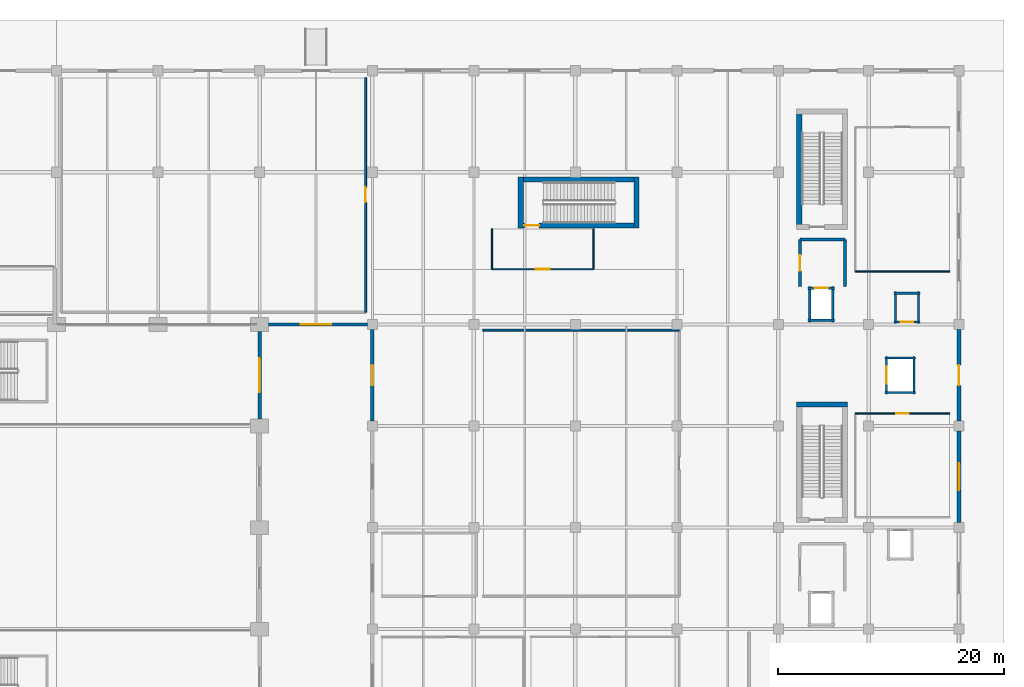
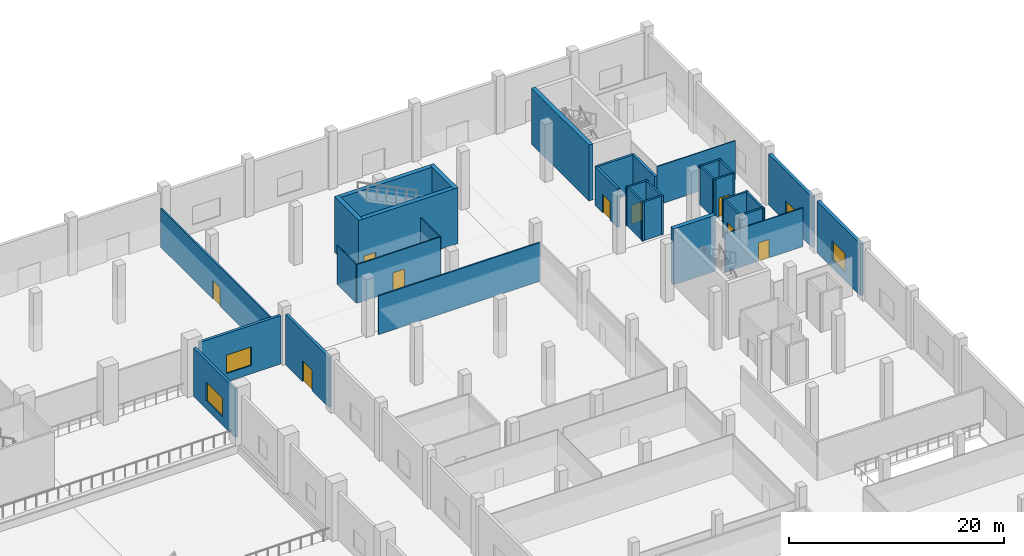
# One storey, part 26 of 65: 33 walls, 10 doors, 3 windows, 13 openings.
"""IFC4 building model written with IfcOpenShell, lengths in metres."""

from ifc_helpers import new_model, si_unit, direction, frame, frame_2d, origin, place, context, subcontext, project, spatial, rectangle, extrude, material, layer, layer_set, type_object, element, fill, save


model = new_model("IFC4")

# Units and contexts
model_context = context("Model", 3, precision=1e-05, world=origin(), true_north=direction((0.0, 1.0)))
body_context = subcontext(model_context, "Body", "Model", "MODEL_VIEW")
ifc_project = project(units=[si_unit("LENGTHUNIT", "METRE"), si_unit("AREAUNIT", "SQUARE_METRE"), si_unit("VOLUMEUNIT", "CUBIC_METRE"), si_unit("PLANEANGLEUNIT", "RADIAN"), si_unit("MASSUNIT", "GRAM", prefix="KILO")], contexts=[model_context])

# Site, building, storey
site_placement = place(None, origin())
site = spatial("IfcSite", under=ifc_project, at=site_placement, CompositionType="ELEMENT")
building_placement = place(site_placement, origin())
building = spatial("IfcBuilding", under=site, at=building_placement, Name="Chuanluo Vaults Station", CompositionType="ELEMENT")
storey_placement = place(building_placement, origin())
storey = spatial("IfcBuildingStorey", under=building, at=storey_placement, Name="L00", CompositionType="ELEMENT", Elevation=0.0)

# Walls
ifc_material_1 = material(Name="Concrete C50", Category="concrete")
ifc_layer_1 = layer(ifc_material_1, 0.449951171875)
ifc_layer_set_1 = layer_set([ifc_layer_1], Name="Concrete C50")
wall_type_1 = type_object("IfcWallType", Name="WL-COR-450", PredefinedType="SHEAR", material=ifc_layer_set_1)
wall_1_placement = place(storey_placement, frame((178.137451171875, 96.3974609375, 0.0), z_axis=(0.0, 0.0, 1.0), x_axis=(-1.0, 0.0, 0.0)))
element("IfcWall", 1, at=wall_1_placement, inside=storey, type_object=wall_type_1, Name="Core K1 far shear wall", PredefinedType="SHEAR", context=body_context, shape_type="SweptSolid", body=[
    extrude(rectangle(XDim=4.52001953125, YDim=0.449951171875, at=frame_2d((2.260009765625, 0.0))), origin(), (0.0, 0.0, 1.0), 6.360107421875),
])
wall_2_placement = place(storey_placement, frame((173.842529296875, 122.62255859375, 0.0), z_axis=(0.0, 0.0, 1.0), x_axis=(0.0, -1.0, 0.0)))
element("IfcWall", 2, at=wall_2_placement, inside=storey, type_object=wall_type_1, Name="Core K2 right shear wall", PredefinedType="SHEAR", context=body_context, shape_type="SweptSolid", body=[
    extrude(rectangle(XDim=10.697509765625, YDim=0.449951171875, at=frame_2d((5.3486328125, 0.0))), origin(), (0.0, 0.0, 1.0), 6.360107421875),
])

# Wall, opening, door
wall_3_placement = place(storey_placement, frame((148.925048828125, 112.27490234375, 0.0), z_axis=(0.0, 0.0, 1.0), x_axis=(1.0, 0.0, 0.0)))
wall_3 = element("IfcWall", 3, at=wall_3_placement, inside=storey, type_object=wall_type_1, Name="Core K3 left shear wall", PredefinedType="SHEAR", context=body_context, shape_type="SweptSolid", body=[
    extrude(rectangle(XDim=10.697509765625, YDim=0.449951171875, at=frame_2d((5.3486328125, 0.0))), origin(), (0.0, 0.0, 1.0), 6.360107421875),
])
opening_1_placement = place(wall_3_placement, frame((0.550048828125, 0.0, 0.0)))
opening_1 = element("IfcOpeningElement", 4, at=opening_1_placement, cuts=wall_3, Name="Opening FD-05", PredefinedType="OPENING", context=body_context, shape_type="SweptSolid", body=[
    extrude(rectangle(XDim=1.300048828125, YDim=2.10009765625, at=frame_2d((0.64990234375, 1.050048828125))), frame((0.0, 0.2351, 0.0), z_axis=(0.0, -1.0, 0.0), x_axis=(1.0, 0.0, 0.0)), (0.0, 0.0, 1.0), 0.46995),
])
ifc_material_2 = material(Name="Fire-rated steel leaf", Category="steel")
door_type_1 = type_object("IfcDoorType", Name="DR-FIR-1300x2100", OperationType="NOTDEFINED", PredefinedType="DOOR", material=ifc_material_2)
door_1_placement = place(opening_1_placement, origin())
door_1 = element("IfcDoor", 5, at=door_1_placement, inside=storey, type_object=door_type_1, Name="D-073 Stair ST-03 fire door", OperationType="SINGLE_SWING_RIGHT", OverallHeight=2.10009765625, OverallWidth=1.300048828125, PredefinedType="DOOR", context=body_context, shape_type="SweptSolid", body=[
    extrude(rectangle(XDim=1.300048828125, YDim=2.10009765625, at=frame_2d((0.64990234375, 1.050048828125))), frame((0.0, 0.02490234375, 0.0), z_axis=(0.0, -1.0, 0.0), x_axis=(1.0, 0.0, 0.0)), (0.0, 0.0, 1.0), 0.050048828125),
])
fill(opening_1, door_1)

# Walls
wall_4_placement = place(storey_placement, frame((159.62255859375, 116.344970703125, 0.0), z_axis=(0.0, 0.0, 1.0), x_axis=(-1.0, 0.0, 0.0)))
element("IfcWall", 6, at=wall_4_placement, inside=storey, type_object=wall_type_1, Name="Core K3 right shear wall", PredefinedType="SHEAR", context=body_context, shape_type="SweptSolid", body=[
    extrude(rectangle(XDim=10.697509765625, YDim=0.449951171875, at=frame_2d((5.3486328125, 0.0))), origin(), (0.0, 0.0, 1.0), 6.360107421875),
])
for number, where, z_axis, x_axis, name in (
    (7, (159.3974609375, 112.050048828125, 0.0), (0.0, 0.0, 1.0), (0.0, 1.0, 0.0), "Core K3 far shear wall"),
    (8, (149.14990234375, 116.570068359375, 0.0), (0.0, 0.0, 1.0), (0.0, -1.0, 0.0), "Core K3 near shear wall"),
):
    element("IfcWall", number, at=place(storey_placement, frame(where, z_axis=z_axis, x_axis=x_axis)), inside=storey, type_object=wall_type_1, Name=name, PredefinedType="SHEAR", context=body_context, shape_type="SweptSolid", body=[
        extrude(rectangle(XDim=4.52001953125, YDim=0.449951171875, at=frame_2d((2.260009765625, 0.0))), origin(), (0.0, 0.0, 1.0), 6.360107421875),
    ])

# Wall, opening, window
ifc_material_3 = material(Name="Concrete C40", Category="concrete")
ifc_layer_2 = layer(ifc_material_3, 0.300048828125)
ifc_layer_set_2 = layer_set([ifc_layer_2], Name="Concrete C40")
wall_type_2 = type_object("IfcWallType", Name="WL-EXT-300", PredefinedType="SOLIDWALL", material=ifc_layer_set_2)
wall_5_placement = place(storey_placement, frame((126.0, 102.89990234375, 0.0), z_axis=(0.0, 0.0, 1.0), x_axis=(0.0, -1.0, 0.0)))
wall_5 = element("IfcWall", 9, at=wall_5_placement, inside=storey, type_object=wall_type_2, Name="Passage train-shed wall 5", PredefinedType="SOLIDWALL", context=body_context, shape_type="SweptSolid", body=[
    extrude(rectangle(XDim=7.7998046875, YDim=0.300048828125, at=frame_2d((3.89990234375, 0.0))), origin(), (0.0, 0.0, 1.0), 5.4951171875),
])
opening_2_placement = place(wall_5_placement, frame((2.39990234375, 0.0, 0.949951171875)))
opening_2 = element("IfcOpeningElement", 10, at=opening_2_placement, cuts=wall_5, Name="Opening W-16", PredefinedType="OPENING", context=body_context, shape_type="SweptSolid", body=[
    extrude(rectangle(XDim=3.0, YDim=2.10009765625, at=frame_2d((1.5, 1.050048828125))), frame((0.0, 0.1599, 0.0), z_axis=(0.0, -1.0, 0.0), x_axis=(1.0, 0.0, 0.0)), (0.0, 0.0, 1.0), 0.32005),
])
ifc_material_4 = material(Name="Double-silver Low-E laminated glass", Category="glass")
window_type_1 = type_object("IfcWindowType", Name="WN-RET-3000x2100", PartitioningType="SINGLE_PANEL", PredefinedType="WINDOW", material=ifc_material_4)
window_1_placement = place(opening_2_placement, origin())
window_1 = element("IfcWindow", 11, at=window_1_placement, inside=storey, type_object=window_type_1, Name="W-037 Ground streetwall window", OverallHeight=2.10009765625, OverallWidth=3.0, PartitioningType="SINGLE_PANEL", PredefinedType="WINDOW", context=body_context, shape_type="SweptSolid", body=[
    extrude(rectangle(XDim=3.0, YDim=2.10009765625, at=frame_2d((1.5, 1.050048828125))), frame((0.0, 0.030029296875, 0.0), z_axis=(0.0, -1.0, 0.0), x_axis=(1.0, 0.0, 0.0)), (0.0, 0.0, 1.0), 0.06005859375),
])
fill(opening_2, window_1)

wall_6_placement = place(storey_placement, frame((135.550048828125, 103.5, 0.0), z_axis=(0.0, 0.0, 1.0), x_axis=(-1.0, 0.0, 0.0)))
wall_6 = element("IfcWall", 12, at=wall_6_placement, inside=storey, type_object=wall_type_2, Name="Passage north alcove south wall", PredefinedType="SOLIDWALL", context=body_context, shape_type="SweptSolid", body=[
    extrude(rectangle(XDim=8.75, YDim=0.300048828125, at=frame_2d((4.375, 0.0))), origin(), (0.0, 0.0, 1.0), 5.4951171875),
])
opening_3_placement = place(wall_6_placement, frame((3.199951171875, 0.0, 0.949951171875)))
opening_3 = element("IfcOpeningElement", 13, at=opening_3_placement, cuts=wall_6, Name="Opening W-17", PredefinedType="OPENING", context=body_context, shape_type="SweptSolid", body=[
    extrude(rectangle(XDim=2.699951171875, YDim=2.10009765625, at=frame_2d((1.35009765625, 1.050048828125))), frame((0.0, 0.1599, 0.0), z_axis=(0.0, -1.0, 0.0), x_axis=(1.0, 0.0, 0.0)), (0.0, 0.0, 1.0), 0.32005),
])
ifc_material_5 = material(Name="Double-silver Low-E laminated glass", Category="glass")
window_type_2 = type_object("IfcWindowType", Name="WN-RET-2700x2100", PartitioningType="SINGLE_PANEL", PredefinedType="WINDOW", material=ifc_material_5)
window_2_placement = place(opening_3_placement, origin())
window_2 = element("IfcWindow", 14, at=window_2_placement, inside=storey, type_object=window_type_2, Name="W-038 Ground streetwall window", OverallHeight=2.10009765625, OverallWidth=2.699951171875, PartitioningType="SINGLE_PANEL", PredefinedType="WINDOW", context=body_context, shape_type="SweptSolid", body=[
    extrude(rectangle(XDim=2.699951171875, YDim=2.10009765625, at=frame_2d((1.35009765625, 1.050048828125))), frame((0.0, 0.030029296875, 0.0), z_axis=(0.0, -1.0, 0.0), x_axis=(1.0, 0.0, 0.0)), (0.0, 0.0, 1.0), 0.06005859375),
])
fill(opening_3, window_2)

# Wall, opening, door
wall_7_placement = place(storey_placement, frame((136.0, 94.949951171875, 0.0), z_axis=(0.0, 0.0, 1.0), x_axis=(0.0, 1.0, 0.0)))
wall_7 = element("IfcWall", 15, at=wall_7_placement, inside=storey, type_object=wall_type_2, Name="Operations west passage wall 5", PredefinedType="SOLIDWALL", context=body_context, shape_type="SweptSolid", body=[
    extrude(rectangle(XDim=8.10009765625, YDim=0.300048828125, at=frame_2d((4.050048828125, 0.0))), origin(), (0.0, 0.0, 1.0), 5.715087890625),
])
opening_4_placement = place(wall_7_placement, frame((3.14990234375, 0.0, 0.0)))
opening_4 = element("IfcOpeningElement", 16, at=opening_4_placement, cuts=wall_7, Name="Opening D-E07", PredefinedType="OPENING", context=body_context, shape_type="SweptSolid", body=[
    extrude(rectangle(XDim=1.800048828125, YDim=2.35009765625, at=frame_2d((0.89990234375, 1.175048828125))), frame((0.0, 0.1599, 0.0), z_axis=(0.0, -1.0, 0.0), x_axis=(1.0, 0.0, 0.0)), (0.0, 0.0, 1.0), 0.32005),
])
ifc_material_6 = material(Name="Anodised aluminium 6063-T6", Category="aluminium")
door_type_2 = type_object("IfcDoorType", Name="DR-EXT-1800x2350", OperationType="NOTDEFINED", PredefinedType="DOOR", material=ifc_material_6)
door_2_placement = place(opening_4_placement, origin())
door_2 = element("IfcDoor", 17, at=door_2_placement, inside=storey, type_object=door_type_2, Name="D-035 Operations west passage wall 5 exit door", OperationType="SINGLE_SWING_LEFT", OverallHeight=2.35009765625, OverallWidth=1.800048828125, PredefinedType="DOOR", context=body_context, shape_type="SweptSolid", body=[
    extrude(rectangle(XDim=1.800048828125, YDim=2.35009765625, at=frame_2d((0.89990234375, 1.175048828125))), frame((0.0, 0.02490234375, 0.0), z_axis=(0.0, -1.0, 0.0), x_axis=(1.0, 0.0, 0.0)), (0.0, 0.0, 1.0), 0.050048828125),
])
fill(opening_4, door_2)

# Wall, opening, window
ifc_material_7 = material(Name="Concrete C50", Category="concrete")
ifc_layer_3 = layer(ifc_material_7, 0.340087890625)
ifc_layer_set_3 = layer_set([ifc_layer_3], Name="Concrete C50")
wall_type_3 = type_object("IfcWallType", Name="WL-EXT-340", PredefinedType="SOLIDWALL", material=ifc_layer_set_3)
wall_8_placement = place(storey_placement, frame((188.0, 94.050048828125, 0.0), z_axis=(0.0, 0.0, 1.0), x_axis=(0.0, -1.0, 0.0)))
wall_8 = element("IfcWall", 18, at=wall_8_placement, inside=storey, type_object=wall_type_3, Name="East streetwall 8", PredefinedType="SOLIDWALL", context=body_context, shape_type="SweptSolid", body=[
    extrude(rectangle(XDim=8.10009765625, YDim=0.340087890625, at=frame_2d((4.050048828125, 0.0))), origin(), (0.0, 0.0, 1.0), 5.875),
])
opening_5_placement = place(wall_8_placement, frame((2.85009765625, 0.0, 0.949951171875)))
opening_5 = element("IfcOpeningElement", 19, at=opening_5_placement, cuts=wall_8, Name="Opening W-18", PredefinedType="OPENING", context=body_context, shape_type="SweptSolid", body=[
    extrude(rectangle(XDim=2.39990234375, YDim=2.10009765625, at=frame_2d((1.199951171875, 1.050048828125))), frame((0.0, 0.17992, 0.0), z_axis=(0.0, -1.0, 0.0), x_axis=(1.0, 0.0, 0.0)), (0.0, 0.0, 1.0), 0.36009),
])
ifc_material_8 = material(Name="Double-silver Low-E laminated glass", Category="glass")
window_type_3 = type_object("IfcWindowType", Name="WN-RET-2400x2100", PartitioningType="SINGLE_PANEL", PredefinedType="WINDOW", material=ifc_material_8)
window_3_placement = place(opening_5_placement, origin())
window_3 = element("IfcWindow", 20, at=window_3_placement, inside=storey, type_object=window_type_3, Name="W-057 Ground streetwall window", OverallHeight=2.10009765625, OverallWidth=2.39990234375, PartitioningType="SINGLE_PANEL", PredefinedType="WINDOW", context=body_context, shape_type="SweptSolid", body=[
    extrude(rectangle(XDim=2.39990234375, YDim=2.10009765625, at=frame_2d((1.199951171875, 1.050048828125))), frame((0.0, 0.030029296875, 0.0), z_axis=(0.0, -1.0, 0.0), x_axis=(1.0, 0.0, 0.0)), (0.0, 0.0, 1.0), 0.06005859375),
])
fill(opening_5, window_3)

# Wall, opening, door
wall_9_placement = place(storey_placement, frame((188.0, 103.050048828125, 0.0), z_axis=(0.0, 0.0, 1.0), x_axis=(0.0, -1.0, 0.0)))
wall_9 = element("IfcWall", 21, at=wall_9_placement, inside=storey, type_object=wall_type_3, Name="East streetwall 9", PredefinedType="SOLIDWALL", context=body_context, shape_type="SweptSolid", body=[
    extrude(rectangle(XDim=8.10009765625, YDim=0.340087890625, at=frame_2d((4.050048828125, 0.0))), origin(), (0.0, 0.0, 1.0), 5.7548828125),
])
opening_6_placement = place(wall_9_placement, frame((3.14990234375, 0.0, 0.0)))
opening_6 = element("IfcOpeningElement", 22, at=opening_6_placement, cuts=wall_9, Name="Opening D-E07", PredefinedType="OPENING", context=body_context, shape_type="SweptSolid", body=[
    extrude(rectangle(XDim=1.800048828125, YDim=2.35009765625, at=frame_2d((0.89990234375, 1.175048828125))), frame((0.0, 0.17992, 0.0), z_axis=(0.0, -1.0, 0.0), x_axis=(1.0, 0.0, 0.0)), (0.0, 0.0, 1.0), 0.36009),
])
door_3_placement = place(opening_6_placement, origin())
door_3 = element("IfcDoor", 23, at=door_3_placement, inside=storey, type_object=door_type_2, Name="D-043 East streetwall 9 exit door", OperationType="SINGLE_SWING_RIGHT", OverallHeight=2.35009765625, OverallWidth=1.800048828125, PredefinedType="DOOR", context=body_context, shape_type="SweptSolid", body=[
    extrude(rectangle(XDim=1.800048828125, YDim=2.35009765625, at=frame_2d((0.89990234375, 1.175048828125))), frame((0.0, 0.02490234375, 0.0), z_axis=(0.0, -1.0, 0.0), x_axis=(1.0, 0.0, 0.0)), (0.0, 0.0, 1.0), 0.050048828125),
])
fill(opening_6, door_3)

# Wall
ifc_material_9 = material(Name="Concrete C40", Category="concrete")
ifc_layer_4 = layer(ifc_material_9, 0.25)
ifc_layer_set_4 = layer_set([ifc_layer_4], Name="Concrete C40")
wall_type_4 = type_object("IfcWallType", Name="WL-FIR-250", PredefinedType="SOLIDWALL", material=ifc_layer_set_4)
wall_10_placement = place(storey_placement, frame((173.89990234375, 111.050048828125, 0.0), z_axis=(0.0, 0.0, 1.0), x_axis=(1.0, 0.0, 0.0)))
element("IfcWall", 24, at=wall_10_placement, inside=storey, type_object=wall_type_4, Name="L00-FFL-K2 Firefighting Lift Lobby FFL-02 L00 N partition", PredefinedType="SOLIDWALL", context=body_context, shape_type="SweptSolid", body=[
    extrude(rectangle(XDim=4.0, YDim=0.25, at=frame_2d((2.0, 0.0))), origin(), (0.0, 0.0, 1.0), 4.39990234375),
])

# Wall, opening, door
wall_11_placement = place(storey_placement, frame((173.89990234375, 106.85009765625, 0.0), z_axis=(0.0, 0.0, 1.0), x_axis=(0.0, 1.0, 0.0)))
wall_11 = element("IfcWall", 25, at=wall_11_placement, inside=storey, type_object=wall_type_4, Name="L00-FFL-K2 Firefighting Lift Lobby FFL-02 L00 W partition", PredefinedType="SOLIDWALL", context=body_context, shape_type="SweptSolid", body=[
    extrude(rectangle(XDim=4.199951171875, YDim=0.25, at=frame_2d((2.10009765625, 0.0))), origin(), (0.0, 0.0, 1.0), 4.39990234375),
])
opening_7_placement = place(wall_11_placement, frame((1.39990234375, 0.0, 0.0)))
opening_7 = element("IfcOpeningElement", 26, at=opening_7_placement, cuts=wall_11, Name="Opening FD-04", PredefinedType="OPENING", context=body_context, shape_type="SweptSolid", body=[
    extrude(rectangle(XDim=1.39990234375, YDim=2.10009765625, at=frame_2d((0.699951171875, 1.050048828125))), frame((0.0, 0.135, 0.0), z_axis=(0.0, -1.0, 0.0), x_axis=(1.0, 0.0, 0.0)), (0.0, 0.0, 1.0), 0.27),
])
ifc_material_10 = material(Name="Fire-rated steel leaf", Category="steel")
door_type_3 = type_object("IfcDoorType", Name="DR-FIR-1400x2100", OperationType="NOTDEFINED", PredefinedType="DOOR", material=ifc_material_10)
door_4_placement = place(opening_7_placement, origin())
door_4 = element("IfcDoor", 27, at=door_4_placement, inside=storey, type_object=door_type_3, Name="D-275 Firefighting Lift Lobby FFL-02 L00 door", OperationType="SINGLE_SWING_RIGHT", OverallHeight=2.10009765625, OverallWidth=1.39990234375, PredefinedType="DOOR", context=body_context, shape_type="SweptSolid", body=[
    extrude(rectangle(XDim=1.39990234375, YDim=2.10009765625, at=frame_2d((0.699951171875, 1.050048828125))), frame((0.0, 0.02490234375, 0.0), z_axis=(0.0, -1.0, 0.0), x_axis=(1.0, 0.0, 0.0)), (0.0, 0.0, 1.0), 0.050048828125),
])
fill(opening_7, door_4)

# Walls
wall_12_placement = place(storey_placement, frame((177.89990234375, 111.050048828125, 0.0), z_axis=(0.0, 0.0, 1.0), x_axis=(0.0, -1.0, 0.0)))
element("IfcWall", 28, at=wall_12_placement, inside=storey, type_object=wall_type_4, Name="L00-FFL-K2 Firefighting Lift Lobby FFL-02 L00 E partition", PredefinedType="SOLIDWALL", context=body_context, shape_type="SweptSolid", body=[
    extrude(rectangle(XDim=4.199951171875, YDim=0.25, at=frame_2d((2.10009765625, 0.0))), origin(), (0.0, 0.0, 1.0), 4.39990234375),
])
ifc_material_11 = material(Name="Masonry blockwork M10", Category="masonry")
ifc_layer_5 = layer(ifc_material_11, 0.10009765625)
ifc_layer_set_5 = layer_set([ifc_layer_5], Name="Masonry blockwork M10")
wall_type_5 = type_object("IfcWallType", Name="WL-PRT-100", PredefinedType="PARTITIONING", material=ifc_layer_set_5)
wall_13_placement = place(storey_placement, frame((187.199951171875, 108.199951171875, 0.0), z_axis=(0.0, 0.0, 1.0), x_axis=(-1.0, 0.0, 0.0)))
element("IfcWall", 29, at=wall_13_placement, inside=storey, type_object=wall_type_5, Name="L00-32 North-East Parcel Claim Office S partition", PredefinedType="PARTITIONING", context=body_context, shape_type="SweptSolid", body=[
    extrude(rectangle(XDim=8.39990234375, YDim=0.10009765625, at=frame_2d((4.199951171875, 0.0))), origin(), (0.0, 0.0, 1.0), 4.39990234375),
])

# Wall, opening, door
ifc_material_12 = material(Name="Masonry blockwork M10", Category="masonry")
ifc_layer_6 = layer(ifc_material_12, 0.110107421875)
ifc_layer_set_6 = layer_set([ifc_layer_6], Name="Masonry blockwork M10")
wall_type_6 = type_object("IfcWallType", Name="WL-PRT-110", PredefinedType="PARTITIONING", material=ifc_layer_set_6)
wall_14_placement = place(storey_placement, frame((178.800048828125, 95.60009765625, 0.0), z_axis=(0.0, 0.0, 1.0), x_axis=(1.0, 0.0, 0.0)))
wall_14 = element("IfcWall", 30, at=wall_14_placement, inside=storey, type_object=wall_type_6, Name="L00-31 East Operations Crew Room N partition", PredefinedType="PARTITIONING", context=body_context, shape_type="SweptSolid", body=[
    extrude(rectangle(XDim=8.39990234375, YDim=0.110107421875, at=frame_2d((4.199951171875, 0.0))), origin(), (0.0, 0.0, 1.0), 4.39990234375),
])
opening_8_placement = place(wall_14_placement, frame((3.625, 0.0, 0.0)))
opening_8 = element("IfcOpeningElement", 31, at=opening_8_placement, cuts=wall_14, Name="Opening D-I06", PredefinedType="OPENING", context=body_context, shape_type="SweptSolid", body=[
    extrude(rectangle(XDim=1.14990234375, YDim=2.10009765625, at=frame_2d((0.574951171875, 1.050048828125))), frame((0.0, 0.06518, 0.0), z_axis=(0.0, -1.0, 0.0), x_axis=(1.0, 0.0, 0.0)), (0.0, 0.0, 1.0), 0.13011),
])
ifc_material_13 = material(Name="Anodised aluminium 6063-T6", Category="aluminium")
door_type_4 = type_object("IfcDoorType", Name="DR-INT-1150x2100", OperationType="NOTDEFINED", PredefinedType="DOOR", material=ifc_material_13)
door_5_placement = place(opening_8_placement, origin())
door_5 = element("IfcDoor", 32, at=door_5_placement, inside=storey, type_object=door_type_4, Name="D-176 East Operations Crew Room door", OperationType="SINGLE_SWING_LEFT", OverallHeight=2.10009765625, OverallWidth=1.14990234375, PredefinedType="DOOR", context=body_context, shape_type="SweptSolid", body=[
    extrude(rectangle(XDim=1.14990234375, YDim=2.10009765625, at=frame_2d((0.574951171875, 1.050048828125))), frame((0.0, 0.02490234375, 0.0), z_axis=(0.0, -1.0, 0.0), x_axis=(1.0, 0.0, 0.0)), (0.0, 0.0, 1.0), 0.050048828125),
])
fill(opening_8, door_5)

ifc_material_14 = material(Name="Masonry blockwork M10", Category="masonry")
ifc_layer_7 = layer(ifc_material_14, 0.1201171875)
ifc_layer_set_7 = layer_set([ifc_layer_7], Name="Masonry blockwork M10")
wall_type_7 = type_object("IfcWallType", Name="WL-PRT-120", PredefinedType="PARTITIONING", material=ifc_layer_set_7)
wall_15_placement = place(storey_placement, frame((155.60009765625, 108.39990234375, 0.0), z_axis=(0.0, 0.0, 1.0), x_axis=(-1.0, 0.0, 0.0)))
wall_15 = element("IfcWall", 33, at=wall_15_placement, inside=storey, type_object=wall_type_7, Name="L00-30 North Station Dispatch Office S partition", PredefinedType="PARTITIONING", context=body_context, shape_type="SweptSolid", body=[
    extrude(rectangle(XDim=9.0, YDim=0.1201171875, at=frame_2d((4.5, 0.0))), origin(), (0.0, 0.0, 1.0), 4.39990234375),
])
opening_9_placement = place(wall_15_placement, frame((3.875, 0.0, 0.0)))
opening_9 = element("IfcOpeningElement", 34, at=opening_9_placement, cuts=wall_15, Name="Opening D-I05", PredefinedType="OPENING", context=body_context, shape_type="SweptSolid", body=[
    extrude(rectangle(XDim=1.25, YDim=2.10009765625, at=frame_2d((0.625, 1.050048828125))), frame((0.0, 0.07006, 0.0), z_axis=(0.0, -1.0, 0.0), x_axis=(1.0, 0.0, 0.0)), (0.0, 0.0, 1.0), 0.14012),
])
ifc_material_15 = material(Name="Anodised aluminium 6063-T6", Category="aluminium")
door_type_5 = type_object("IfcDoorType", Name="DR-INT-1250x2100", OperationType="NOTDEFINED", PredefinedType="DOOR", material=ifc_material_15)
door_6_placement = place(opening_9_placement, origin())
door_6 = element("IfcDoor", 35, at=door_6_placement, inside=storey, type_object=door_type_5, Name="D-175 North Station Dispatch Office door", OperationType="SINGLE_SWING_RIGHT", OverallHeight=2.10009765625, OverallWidth=1.25, PredefinedType="DOOR", context=body_context, shape_type="SweptSolid", body=[
    extrude(rectangle(XDim=1.25, YDim=2.10009765625, at=frame_2d((0.625, 1.050048828125))), frame((0.0, 0.02490234375, 0.0), z_axis=(0.0, -1.0, 0.0), x_axis=(1.0, 0.0, 0.0)), (0.0, 0.0, 1.0), 0.050048828125),
])
fill(opening_9, door_6)

# Walls
for number, where, z_axis, x_axis, name in (
    (36, (146.60009765625, 108.39990234375, 0.0), (0.0, 0.0, 1.0), (0.0, 1.0, 0.0), "L00-30 North Station Dispatch Office W partition"),
    (37, (155.60009765625, 112.0, 0.0), (0.0, 0.0, 1.0), (0.0, -1.0, 0.0), "L00-30 North Station Dispatch Office E partition"),
):
    element("IfcWall", number, at=place(storey_placement, frame(where, z_axis=z_axis, x_axis=x_axis)), inside=storey, type_object=wall_type_7, Name=name, PredefinedType="PARTITIONING", context=body_context, shape_type="SweptSolid", body=[
        extrude(rectangle(XDim=3.60009765625, YDim=0.1201171875, at=frame_2d((1.800048828125, 0.0))), origin(), (0.0, 0.0, 1.0), 4.39990234375),
    ])
ifc_material_16 = material(Name="Autoclaved aerated concrete blockwork MU10", Category="masonry")
ifc_layer_8 = layer(ifc_material_16, 0.159912109375)
ifc_layer_set_8 = layer_set([ifc_layer_8], Name="Autoclaved aerated concrete blockwork MU10")
wall_type_8 = type_object("IfcWallType", Name="WL-PRT-160", PredefinedType="PARTITIONING", material=ifc_layer_set_8)
wall_16_placement = place(storey_placement, frame((145.800048828125, 103.0, 0.0), z_axis=(0.0, 0.0, 1.0), x_axis=(1.0, 0.0, 0.0)))
element("IfcWall", 38, at=wall_16_placement, inside=storey, type_object=wall_type_8, Name="L00-26 Station Duty Manager Suite N partition", PredefinedType="PARTITIONING", context=body_context, shape_type="SweptSolid", body=[
    extrude(rectangle(XDim=17.39990234375, YDim=0.159912109375, at=frame_2d((8.699951171875, 0.0))), origin(), (0.0, 0.0, 1.0), 4.39990234375),
])

# Wall, opening, door
ifc_material_17 = material(Name="Autoclaved aerated concrete blockwork MU10", Category="masonry")
ifc_layer_9 = layer(ifc_material_17, 0.175048828125)
ifc_layer_set_9 = layer_set([ifc_layer_9], Name="Autoclaved aerated concrete blockwork MU10")
wall_type_9 = type_object("IfcWallType", Name="WL-PRT-175", PredefinedType="PARTITIONING", material=ifc_layer_set_9)
wall_17_placement = place(storey_placement, frame((135.39990234375, 125.39990234375, 0.0), z_axis=(0.0, 0.0, 1.0), x_axis=(0.0, -1.0, 0.0)))
wall_17 = element("IfcWall", 39, at=wall_17_placement, inside=storey, type_object=wall_type_9, Name="L00-12 North-West Station Police and Lost Property E partition", PredefinedType="PARTITIONING", context=body_context, shape_type="SweptSolid", body=[
    extrude(rectangle(XDim=20.7998046875, YDim=0.175048828125, at=frame_2d((10.39990234375, 0.0))), origin(), (0.0, 0.0, 1.0), 4.39990234375),
])
opening_10_placement = place(wall_17_placement, frame((9.72509765625, 0.0, 0.0)))
opening_10 = element("IfcOpeningElement", 40, at=opening_10_placement, cuts=wall_17, Name="Opening D-I04", PredefinedType="OPENING", context=body_context, shape_type="SweptSolid", body=[
    extrude(rectangle(XDim=1.35009765625, YDim=2.10009765625, at=frame_2d((0.675048828125, 1.050048828125))), frame((0.0, 0.0974, 0.0), z_axis=(0.0, -1.0, 0.0), x_axis=(1.0, 0.0, 0.0)), (0.0, 0.0, 1.0), 0.19505),
])
ifc_material_18 = material(Name="Anodised aluminium 6063-T6", Category="aluminium")
door_type_6 = type_object("IfcDoorType", Name="DR-INT-1350x2100", OperationType="NOTDEFINED", PredefinedType="DOOR", material=ifc_material_18)
door_7_placement = place(opening_10_placement, origin())
door_7 = element("IfcDoor", 41, at=door_7_placement, inside=storey, type_object=door_type_6, Name="D-159 North-West Station Police and Lost Property door", OperationType="SINGLE_SWING_RIGHT", OverallHeight=2.10009765625, OverallWidth=1.35009765625, PredefinedType="DOOR", context=body_context, shape_type="SweptSolid", body=[
    extrude(rectangle(XDim=1.35009765625, YDim=2.10009765625, at=frame_2d((0.675048828125, 1.050048828125))), frame((0.0, 0.02490234375, 0.0), z_axis=(0.0, -1.0, 0.0), x_axis=(1.0, 0.0, 0.0)), (0.0, 0.0, 1.0), 0.050048828125),
])
fill(opening_10, door_7)

# Wall
ifc_material_19 = material(Name="Concrete C40", Category="concrete")
ifc_layer_10 = layer(ifc_material_19, 0.199951171875)
ifc_layer_set_10 = layer_set([ifc_layer_10], Name="Concrete C40")
wall_type_10 = type_object("IfcWallType", Name="WL-SHF-200", PredefinedType="SOLIDWALL", material=ifc_layer_set_10)
wall_18_placement = place(storey_placement, frame((174.6298828125, 103.8798828125, 0.0), z_axis=(0.0, 0.0, 1.0), x_axis=(1.0, 0.0, 0.0)))
element("IfcWall", 42, at=wall_18_placement, inside=storey, type_object=wall_type_10, Name="Lift FFL-02 shaft wall L00 -Y", PredefinedType="SOLIDWALL", context=body_context, shape_type="SweptSolid", body=[
    extrude(rectangle(XDim=2.340087890625, YDim=0.199951171875, at=frame_2d((1.169921875, 0.0))), origin(), (0.0, 0.0, 1.0), 4.39990234375),
])

# Wall, opening, door
wall_19_placement = place(storey_placement, frame((176.969970703125, 106.719970703125, 0.0), z_axis=(0.0, 0.0, 1.0), x_axis=(-1.0, 0.0, 0.0)))
wall_19 = element("IfcWall", 43, at=wall_19_placement, inside=storey, type_object=wall_type_10, Name="Lift FFL-02 shaft wall L00 +Y", PredefinedType="SOLIDWALL", context=body_context, shape_type="SweptSolid", body=[
    extrude(rectangle(XDim=2.340087890625, YDim=0.199951171875, at=frame_2d((1.169921875, 0.0))), origin(), (0.0, 0.0, 1.0), 4.39990234375),
])
opening_11_placement = place(wall_19_placement, frame((0.570068359375, 0.0, 0.0)))
opening_11 = element("IfcOpeningElement", 44, at=opening_11_placement, cuts=wall_19, Name="Opening LD-02", PredefinedType="OPENING", context=body_context, shape_type="SweptSolid", body=[
    extrude(rectangle(XDim=1.199951171875, YDim=2.14990234375, at=frame_2d((0.60009765625, 1.074951171875))), frame((0.0, 0.1101, 0.0), z_axis=(0.0, -1.0, 0.0), x_axis=(1.0, 0.0, 0.0)), (0.0, 0.0, 1.0), 0.21995),
])
ifc_material_20 = material(Name="Brushed stainless steel 304", Category="steel")
door_type_7 = type_object("IfcDoorType", Name="DR-LFT-1200x2150", OperationType="SLIDING_TO_LEFT", PredefinedType="DOOR", material=ifc_material_20)
door_8_placement = place(opening_11_placement, origin())
door_8 = element("IfcDoor", 45, at=door_8_placement, inside=storey, type_object=door_type_7, Name="LD-FFL-02-02 Lift FFL-02 sliding landing door L00", OperationType="SLIDING_TO_LEFT", OverallHeight=2.14990234375, OverallWidth=1.199951171875, PredefinedType="DOOR", context=body_context, shape_type="SweptSolid", body=[
    extrude(rectangle(XDim=1.199951171875, YDim=2.14990234375, at=frame_2d((0.60009765625, 1.074951171875))), frame((0.0, 0.02490234375, 0.0), z_axis=(0.0, -1.0, 0.0), x_axis=(1.0, 0.0, 0.0)), (0.0, 0.0, 1.0), 0.050048828125),
])
fill(opening_11, door_8)

# Walls
for number, where, z_axis, x_axis, name in (
    (46, (174.780029296875, 106.8701171875, 0.0), (0.0, 0.0, 1.0), (0.0, -1.0, 0.0), "Lift FFL-02 shaft wall L00 -X"),
    (47, (176.820068359375, 103.72998046875, 0.0), (0.0, 0.0, 1.0), (0.0, 1.0, 0.0), "Lift FFL-02 shaft wall L00 +X"),
):
    element("IfcWall", number, at=place(storey_placement, frame(where, z_axis=z_axis, x_axis=x_axis)), inside=storey, type_object=wall_type_10, Name=name, PredefinedType="SOLIDWALL", context=body_context, shape_type="SweptSolid", body=[
        extrude(rectangle(XDim=3.14013671875, YDim=0.199951171875, at=frame_2d((1.570068359375, 0.0))), origin(), (0.0, 0.0, 1.0), 4.39990234375),
    ])

# Wall, opening, door
wall_20_placement = place(storey_placement, frame((182.22998046875, 103.72998046875, 0.0), z_axis=(0.0, 0.0, 1.0), x_axis=(1.0, 0.0, 0.0)))
wall_20 = element("IfcWall", 48, at=wall_20_placement, inside=storey, type_object=wall_type_10, Name="Lift EL-04 shaft wall L00 -Y", PredefinedType="SOLIDWALL", context=body_context, shape_type="SweptSolid", body=[
    extrude(rectangle(XDim=2.340087890625, YDim=0.199951171875, at=frame_2d((1.169921875, 0.0))), origin(), (0.0, 0.0, 1.0), 4.39990234375),
])
opening_12_placement = place(wall_20_placement, frame((0.6201171875, 0.0, 0.0)))
opening_12 = element("IfcOpeningElement", 49, at=opening_12_placement, cuts=wall_20, Name="Opening LD-01", PredefinedType="OPENING", context=body_context, shape_type="SweptSolid", body=[
    extrude(rectangle(XDim=1.10009765625, YDim=2.14990234375, at=frame_2d((0.550048828125, 1.074951171875))), frame((0.0, 0.1101, 0.0), z_axis=(0.0, -1.0, 0.0), x_axis=(1.0, 0.0, 0.0)), (0.0, 0.0, 1.0), 0.21995),
])
ifc_material_21 = material(Name="Brushed stainless steel 304", Category="steel")
door_type_8 = type_object("IfcDoorType", Name="DR-LFT-1100x2150", OperationType="SLIDING_TO_LEFT", PredefinedType="DOOR", material=ifc_material_21)
door_9_placement = place(opening_12_placement, origin())
door_9 = element("IfcDoor", 50, at=door_9_placement, inside=storey, type_object=door_type_8, Name="LD-EL-04-02 Lift EL-04 sliding landing door L00", OperationType="SLIDING_TO_LEFT", OverallHeight=2.14990234375, OverallWidth=1.10009765625, PredefinedType="DOOR", context=body_context, shape_type="SweptSolid", body=[
    extrude(rectangle(XDim=1.10009765625, YDim=2.14990234375, at=frame_2d((0.550048828125, 1.074951171875))), frame((0.0, 0.02490234375, 0.0), z_axis=(0.0, -1.0, 0.0), x_axis=(1.0, 0.0, 0.0)), (0.0, 0.0, 1.0), 0.050048828125),
])
fill(opening_12, door_9)

# Walls
wall_21_placement = place(storey_placement, frame((184.570068359375, 106.27001953125, 0.0), z_axis=(0.0, 0.0, 1.0), x_axis=(-1.0, 0.0, 0.0)))
element("IfcWall", 51, at=wall_21_placement, inside=storey, type_object=wall_type_10, Name="Lift EL-04 shaft wall L00 +Y", PredefinedType="SOLIDWALL", context=body_context, shape_type="SweptSolid", body=[
    extrude(rectangle(XDim=2.340087890625, YDim=0.199951171875, at=frame_2d((1.169921875, 0.0))), origin(), (0.0, 0.0, 1.0), 4.39990234375),
])
for number, where, z_axis, x_axis, name in (
    (52, (182.3798828125, 106.419921875, 0.0), (0.0, 0.0, 1.0), (0.0, -1.0, 0.0), "Lift EL-04 shaft wall L00 -X"),
    (53, (184.419921875, 103.580078125, 0.0), (0.0, 0.0, 1.0), (0.0, 1.0, 0.0), "Lift EL-04 shaft wall L00 +X"),
):
    element("IfcWall", number, at=place(storey_placement, frame(where, z_axis=z_axis, x_axis=x_axis)), inside=storey, type_object=wall_type_10, Name=name, PredefinedType="SOLIDWALL", context=body_context, shape_type="SweptSolid", body=[
        extrude(rectangle(XDim=2.83984375, YDim=0.199951171875, at=frame_2d((1.419921875, 0.0))), origin(), (0.0, 0.0, 1.0), 4.39990234375),
    ])
for number, where, z_axis, x_axis, name in (
    (54, (181.429931640625, 97.47998046875, 0.0), (0.0, 0.0, 1.0), (1.0, 0.0, 0.0), "Lift GL-02 shaft wall L00 -Y"),
    (55, (184.169921875, 100.52001953125, 0.0), (0.0, 0.0, 1.0), (-1.0, 0.0, 0.0), "Lift GL-02 shaft wall L00 +Y"),
):
    element("IfcWall", number, at=place(storey_placement, frame(where, z_axis=z_axis, x_axis=x_axis)), inside=storey, type_object=wall_type_10, Name=name, PredefinedType="SOLIDWALL", context=body_context, shape_type="SweptSolid", body=[
        extrude(rectangle(XDim=2.739990234375, YDim=0.199951171875, at=frame_2d((1.3701171875, 0.0))), origin(), (0.0, 0.0, 1.0), 4.39990234375),
    ])

# Wall, opening, door
wall_22_placement = place(storey_placement, frame((181.580078125, 100.669921875, 0.0), z_axis=(0.0, 0.0, 1.0), x_axis=(0.0, -1.0, 0.0)))
wall_22 = element("IfcWall", 56, at=wall_22_placement, inside=storey, type_object=wall_type_10, Name="Lift GL-02 shaft wall L00 -X", PredefinedType="SOLIDWALL", context=body_context, shape_type="SweptSolid", body=[
    extrude(rectangle(XDim=3.33984375, YDim=0.199951171875, at=frame_2d((1.669921875, 0.0))), origin(), (0.0, 0.0, 1.0), 4.39990234375),
])
opening_13_placement = place(wall_22_placement, frame((0.919921875, 0.0, 0.0)))
opening_13 = element("IfcOpeningElement", 57, at=opening_13_placement, cuts=wall_22, Name="Opening LD-03", PredefinedType="OPENING", context=body_context, shape_type="SweptSolid", body=[
    extrude(rectangle(XDim=1.5, YDim=2.199951171875, at=frame_2d((0.75, 1.10009765625))), frame((0.0, 0.1101, 0.0), z_axis=(0.0, -1.0, 0.0), x_axis=(1.0, 0.0, 0.0)), (0.0, 0.0, 1.0), 0.21995),
])
ifc_material_22 = material(Name="Brushed stainless steel 304", Category="steel")
door_type_9 = type_object("IfcDoorType", Name="DR-LFT-1500x2200", OperationType="SLIDING_TO_LEFT", PredefinedType="DOOR", material=ifc_material_22)
door_10_placement = place(opening_13_placement, origin())
door_10 = element("IfcDoor", 58, at=door_10_placement, inside=storey, type_object=door_type_9, Name="LD-GL-02-02 Lift GL-02 sliding landing door L00", OperationType="SLIDING_TO_LEFT", OverallHeight=2.199951171875, OverallWidth=1.5, PredefinedType="DOOR", context=body_context, shape_type="SweptSolid", body=[
    extrude(rectangle(XDim=1.5, YDim=2.199951171875, at=frame_2d((0.75, 1.10009765625))), frame((0.0, 0.02490234375, 0.0), z_axis=(0.0, -1.0, 0.0), x_axis=(1.0, 0.0, 0.0)), (0.0, 0.0, 1.0), 0.050048828125),
])
fill(opening_13, door_10)

# Wall
wall_23_placement = place(storey_placement, frame((184.02001953125, 97.330078125, 0.0), z_axis=(0.0, 0.0, 1.0), x_axis=(0.0, 1.0, 0.0)))
element("IfcWall", 59, at=wall_23_placement, inside=storey, type_object=wall_type_10, Name="Lift GL-02 shaft wall L00 +X", PredefinedType="SOLIDWALL", context=body_context, shape_type="SweptSolid", body=[
    extrude(rectangle(XDim=3.33984375, YDim=0.199951171875, at=frame_2d((1.669921875, 0.0))), origin(), (0.0, 0.0, 1.0), 4.39990234375),
])

save(model, "model.ifc")
